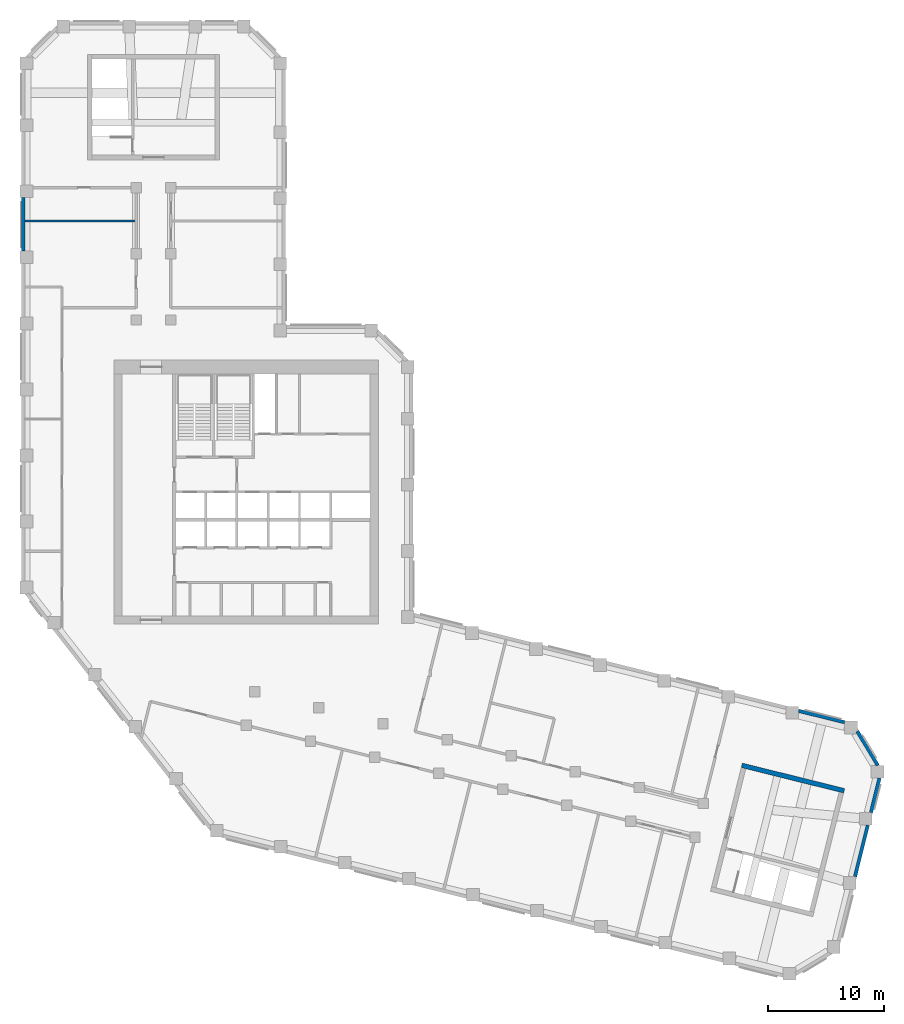
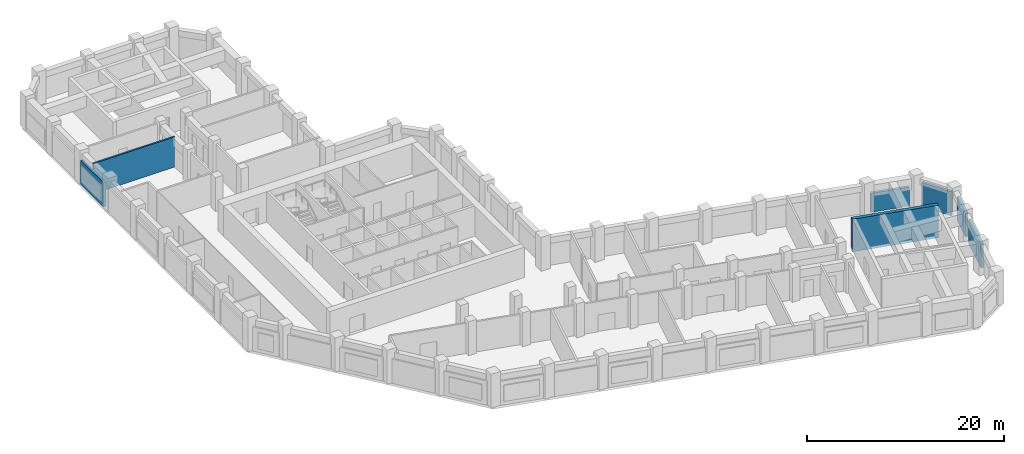
# One storey, part 6 of 8: 7 walls.
"""IFC4 building model written with IfcOpenShell, lengths in metres."""

from ifc_helpers import new_model, si_unit, direction, frame, frame_2d, origin, place, context, subcontext, project, spatial, rectangle, extrude, material, layer, layer_set, type_object, element, save


model = new_model("IFC4")

# Units and contexts
model_context = context("Model", 3, precision=1e-05, world=origin(), true_north=direction((0.0, 1.0)))
body_context = subcontext(model_context, "Body", "Model", "MODEL_VIEW")
ifc_project = project(units=[si_unit("LENGTHUNIT", "METRE"), si_unit("AREAUNIT", "SQUARE_METRE"), si_unit("VOLUMEUNIT", "CUBIC_METRE"), si_unit("PLANEANGLEUNIT", "RADIAN"), si_unit("MASSUNIT", "GRAM", prefix="KILO")], contexts=[model_context])

# Site, building, storey
site_placement = place(None, origin())
site = spatial("IfcSite", under=ifc_project, at=site_placement, CompositionType="ELEMENT")
building_placement = place(site_placement, origin())
building = spatial("IfcBuilding", under=site, at=building_placement, Name="Meshkara Civic Tower", CompositionType="ELEMENT")
storey_placement = place(building_placement, frame((0.0, 0.0, 280.199951171875)))
storey = spatial("IfcBuildingStorey", under=building, at=storey_placement, Name="L64", CompositionType="ELEMENT", Elevation=280.199951171875)

# Walls
ifc_material_1 = material(Name="Insulated infill panel with bronze anodised aluminium cladding", Category="aluminium")
ifc_layer_1 = layer(ifc_material_1, 0.300048828125)
ifc_layer_set_1 = layer_set([ifc_layer_1], Name="EXTERNAL INFILL WALL 300")
wall_type_1 = type_object("IfcWallType", Name="EXTERNAL INFILL WALL 300", PredefinedType="SOLIDWALL", material=ifc_layer_set_1)
wall_1_placement = place(storey_placement, frame((71.0439453125, 5.6298828125, 0.0), z_axis=(0.0, 0.0, 1.0), x_axis=(-0.970311173766, 0.241859930674, 0.0)))
element("IfcWall", 1, at=wall_1_placement, inside=storey, type_object=wall_type_1, Name="External wall", PredefinedType="SOLIDWALL", context=body_context, shape_type="SweptSolid", body=[
    extrude(rectangle(XDim=4.0810546875, YDim=0.300048828125, at=frame_2d((2.04052734375, 0.0))), origin(), (0.0, 0.0, 1.0), 2.35009765625),
])
wall_2_placement = place(storey_placement, frame((0.14990234375, 50.904052734375, 0.0), z_axis=(0.0, 0.0, 1.0), x_axis=(0.0, -1.0, 0.0)))
element("IfcWall", 2, at=wall_2_placement, inside=storey, type_object=wall_type_1, Name="External wall", PredefinedType="SOLIDWALL", context=body_context, shape_type="SweptSolid", body=[
    extrude(rectangle(XDim=4.59912109375, YDim=0.300048828125, at=frame_2d((2.299560546875, 0.0))), origin(), (0.0, 0.0, 1.0), 3.0),
])
wall_3_placement = place(storey_placement, frame((71.947998046875, -7.68505859375, 0.0), z_axis=(0.0, 0.0, 1.0), x_axis=(0.241805804532, 0.970324663654, 0.0)))
element("IfcWall", 3, at=wall_3_placement, inside=storey, type_object=wall_type_1, Name="External wall", PredefinedType="SOLIDWALL", context=body_context, shape_type="SweptSolid", body=[
    extrude(rectangle(XDim=4.565673828125, YDim=0.300048828125, at=frame_2d((2.28271484375, 0.0))), origin(), (0.0, 0.0, 1.0), 3.0),
])
wall_4_placement = place(storey_placement, frame((73.326904296875, -2.155029296875, 0.0), z_axis=(0.0, 0.0, 1.0), x_axis=(0.241689002756, 0.970353763298, 0.0)))
element("IfcWall", 4, at=wall_4_placement, inside=storey, type_object=wall_type_1, Name="External wall", PredefinedType="SOLIDWALL", context=body_context, shape_type="SweptSolid", body=[
    extrude(rectangle(XDim=3.0537109375, YDim=0.300048828125, at=frame_2d((1.52685546875, 0.0))), origin(), (0.0, 0.0, 1.0), 3.0),
])
wall_5_placement = place(storey_placement, frame((73.912109375, 1.907958984375, 0.0), z_axis=(0.0, 0.0, 1.0), x_axis=(-0.514966247533, 0.857210454848, 0.0)))
element("IfcWall", 5, at=wall_5_placement, inside=storey, type_object=wall_type_1, Name="External wall", PredefinedType="SOLIDWALL", context=body_context, shape_type="SweptSolid", body=[
    extrude(rectangle(XDim=3.433349609375, YDim=0.300048828125, at=frame_2d((1.716796875, 0.0))), origin(), (0.0, 0.0, 1.0), 3.0),
])
ifc_material_2 = material(Name="Concrete C60", Category="concrete")
ifc_layer_2 = layer(ifc_material_2, 0.39990234375)
ifc_layer_set_2 = layer_set([ifc_layer_2], Name="End core ring wall 400 C60")
wall_type_2 = type_object("IfcWallType", Name="End core ring wall 400 C60", PredefinedType="SHEAR", material=ifc_layer_set_2)
wall_6_placement = place(storey_placement, frame((62.179931640625, 1.9140625, -0.300048828125), z_axis=(0.0, 0.0, 1.0), x_axis=(0.970306400786, -0.241879078453, 0.0)))
element("IfcWall", 6, at=wall_6_placement, inside=storey, type_object=wall_type_2, Name="L64-C033", PredefinedType="SHEAR", context=body_context, shape_type="SweptSolid", body=[
    extrude(rectangle(XDim=9.100341796875, YDim=0.39990234375, at=frame_2d((4.55029296875, 0.0))), origin(), (0.0, 0.0, 1.0), 4.050048828125),
])
ifc_material_3 = material(Name="Fire-rated wall 200")
ifc_layer_3 = layer(ifc_material_3, 0.199951171875)
ifc_layer_set_3 = layer_set([ifc_layer_3], Name="Fire-rated wall 200")
wall_type_3 = type_object("IfcWallType", Name="Fire-rated wall 200", PredefinedType="PARTITIONING", material=ifc_layer_set_3)
wall_7_placement = place(storey_placement, frame((9.85009765625, 48.89990234375, 0.0), z_axis=(0.0, 0.0, 1.0), x_axis=(-1.0, 0.0, 0.0)))
element("IfcWall", 7, at=wall_7_placement, inside=storey, type_object=wall_type_3, Name="L64-R033", PredefinedType="PARTITIONING", context=body_context, shape_type="SweptSolid", body=[
    extrude(rectangle(XDim=9.550048828125, YDim=0.199951171875, at=frame_2d((4.77490234375, 0.0))), origin(), (0.0, 0.0, 1.0), 3.75),
])

save(model, "model.ifc")
